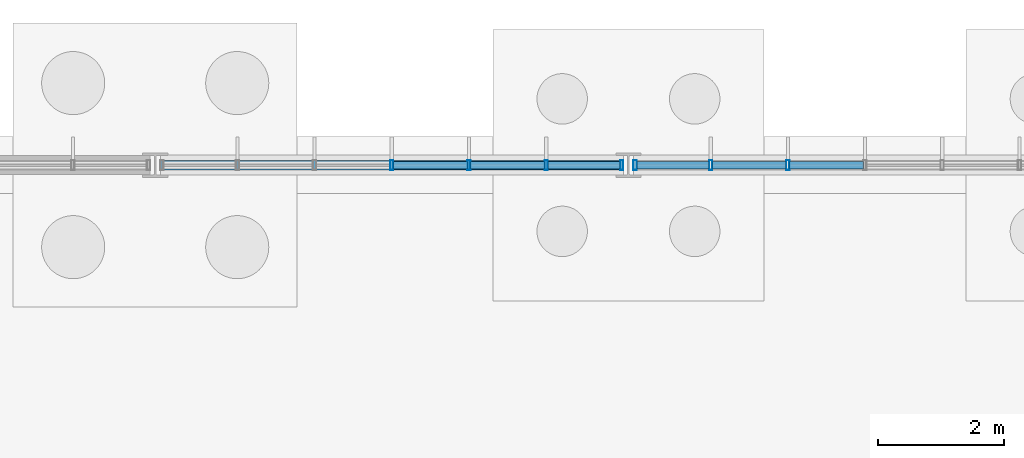
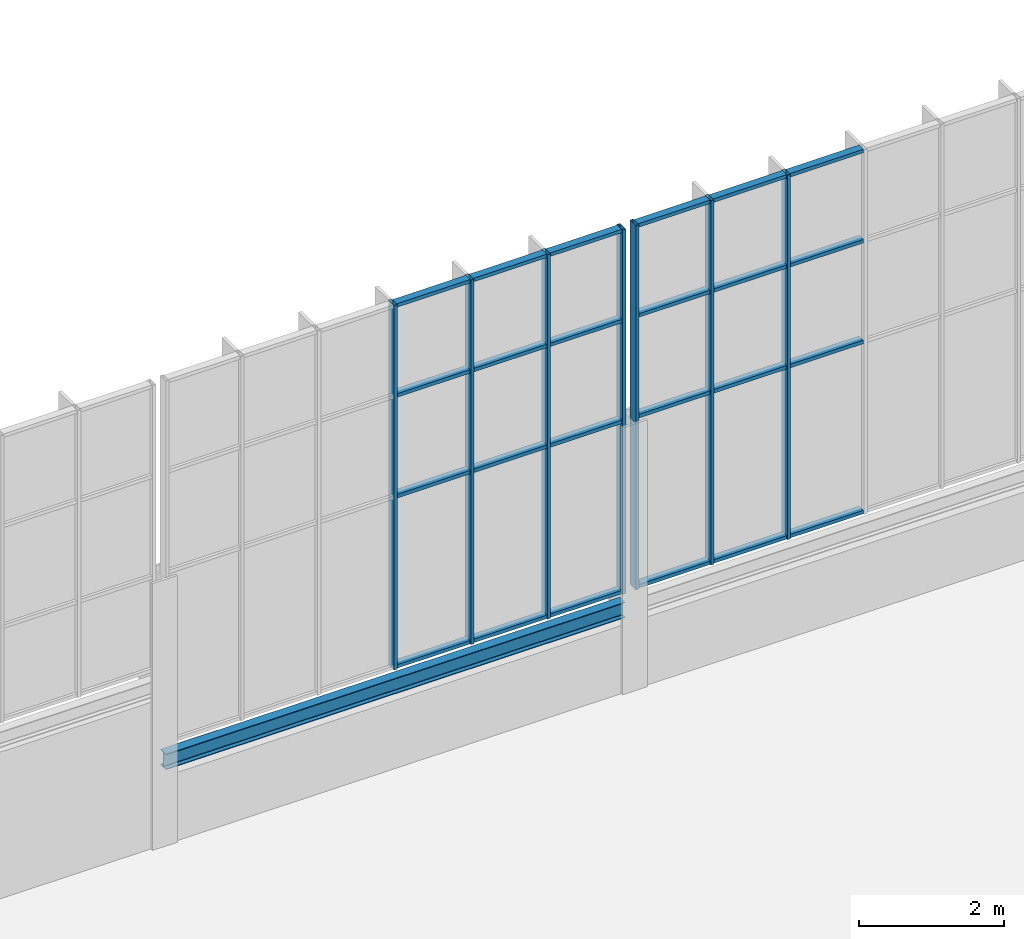
# One storey, part 58 of 136: 31 members, 1 beam, 2 elements without a shape of their own.
"""IFC4 building model written with IfcOpenShell, lengths in metres."""

from ifc_helpers import new_model, si_unit, direction, frame, origin, origin_2d, place, context, subcontext, project, spatial, hollow_rectangle, i_section, extrude, material, layer, layer_set, material_profile, profile_set, type_object, element, aggregate, save


model = new_model("IFC4")

# Units and contexts
model_context = context("Model", 3, precision=1e-05, world=origin(), true_north=direction((0.0, 1.0)))
body_context = subcontext(model_context, "Body", "Model", "MODEL_VIEW")
ifc_project = project(units=[si_unit("LENGTHUNIT", "METRE"), si_unit("AREAUNIT", "SQUARE_METRE"), si_unit("VOLUMEUNIT", "CUBIC_METRE"), si_unit("PLANEANGLEUNIT", "RADIAN"), si_unit("MASSUNIT", "GRAM", prefix="KILO")], contexts=[model_context])

# Site, building, storey
site_placement = place(None, origin())
site = spatial("IfcSite", under=ifc_project, at=site_placement, CompositionType="ELEMENT")
building_placement = place(site_placement, origin())
building = spatial("IfcBuilding", under=site, at=building_placement, Name="Solvenia Promenade Tram Depot", CompositionType="ELEMENT")
storey_placement = place(building_placement, origin())
storey = spatial("IfcBuildingStorey", under=building, at=storey_placement, Name="L00", CompositionType="ELEMENT", Elevation=0.0)

# Curtain wall, members
ifc_material_1 = material(Name="Anodized aluminium AW-6063 T6", Category="aluminium")
ifc_layer = layer(ifc_material_1, 0.159912109375, Name="Anodized aluminium AW-6063 T6", Category="aluminium")
ifc_layer_set = layer_set([ifc_layer], Name="Anodized aluminium AW-6063 T6")
curtain_wall_type = type_object("IfcCurtainWallType", Name="CW-Channel-1200", PredefinedType="NOTDEFINED", material=ifc_layer_set)
curtain_wall_1_placement = place(storey_placement, origin())
curtain_wall_1 = element("IfcCurtainWall", 1, at=curtain_wall_1_placement, inside=storey, type_object=curtain_wall_type, Name="North Translucent Channel-Glass Wall 06", PredefinedType="NOTDEFINED")
ifc_material_profile_1 = material_profile(ifc_material_1, hollow_rectangle(XDim=0.159912109375, YDim=0.052001953125, WallThickness=0.00390625, at=origin_2d()), Name="ALU-M1", Category="aluminium")
ifc_profile_set_1 = profile_set([ifc_material_profile_1], Name="Anodized aluminium AW-6063 T6")
member_type_1 = type_object("IfcMemberType", Name="CWM-Mullion-1", PredefinedType="MULLION", material=ifc_profile_set_1)
member_1_placement = place(storey_placement, frame((41.25, 126.0, 1.60009765625), z_axis=(0.0, 0.0, 1.0), x_axis=(0.0, 1.0, 0.0)))
member_1 = element("IfcMember", 2, at=member_1_placement, type_object=member_type_1, Name="CW-1 mullion 4", PredefinedType="MULLION", context=body_context, shape_type="SweptSolid", body=[
    extrude(hollow_rectangle(XDim=0.159912109375, YDim=0.052001953125, WallThickness=0.00390625, at=origin_2d()), origin(), (0.0, 0.0, 1.0), 6.14990234375),
])
member_2_placement = place(storey_placement, frame((42.473388671875, 126.0, 1.60009765625), z_axis=(0.0, 0.0, 1.0), x_axis=(0.0, 1.0, 0.0)))
member_2 = element("IfcMember", 3, at=member_2_placement, type_object=member_type_1, Name="CW-1 mullion 5", PredefinedType="MULLION", context=body_context, shape_type="SweptSolid", body=[
    extrude(hollow_rectangle(XDim=0.159912109375, YDim=0.052001953125, WallThickness=0.00390625, at=origin_2d()), origin(), (0.0, 0.0, 1.0), 6.14990234375),
])
member_3_placement = place(storey_placement, frame((43.69677734375, 126.0, 1.60009765625), z_axis=(0.0, 0.0, 1.0), x_axis=(0.0, 1.0, 0.0)))
member_3 = element("IfcMember", 4, at=member_3_placement, type_object=member_type_1, Name="CW-1 mullion 6", PredefinedType="MULLION", context=body_context, shape_type="SweptSolid", body=[
    extrude(hollow_rectangle(XDim=0.159912109375, YDim=0.052001953125, WallThickness=0.00390625, at=origin_2d()), origin(), (0.0, 0.0, 1.0), 6.14990234375),
])
member_4_placement = place(storey_placement, frame((44.89404296875, 126.0, 1.60009765625), z_axis=(0.0, 0.0, 1.0), x_axis=(0.0, 1.0, 0.0)))
member_4 = element("IfcMember", 5, at=member_4_placement, type_object=member_type_1, Name="CW-1 mullion 7", PredefinedType="MULLION", context=body_context, shape_type="SweptSolid", body=[
    extrude(hollow_rectangle(XDim=0.159912109375, YDim=0.052001953125, WallThickness=0.00390625, at=origin_2d()), origin(), (0.0, 0.0, 1.0), 6.14990234375),
])

curtain_wall_2_placement = place(storey_placement, origin())
curtain_wall_2 = element("IfcCurtainWall", 6, at=curtain_wall_2_placement, inside=storey, type_object=curtain_wall_type, Name="North Translucent Channel-Glass Wall 07", PredefinedType="NOTDEFINED")
member_5_placement = place(storey_placement, frame((45.10595703125, 126.0, 1.60009765625), z_axis=(0.0, 0.0, 1.0), x_axis=(0.0, 1.0, 0.0)))
member_5 = element("IfcMember", 7, at=member_5_placement, type_object=member_type_1, Name="CW-1 mullion 1", PredefinedType="MULLION", context=body_context, shape_type="SweptSolid", body=[
    extrude(hollow_rectangle(XDim=0.159912109375, YDim=0.052001953125, WallThickness=0.00390625, at=origin_2d()), origin(), (0.0, 0.0, 1.0), 6.14990234375),
])
member_6_placement = place(storey_placement, frame((46.30322265625, 126.0, 1.60009765625), z_axis=(0.0, 0.0, 1.0), x_axis=(0.0, 1.0, 0.0)))
member_6 = element("IfcMember", 8, at=member_6_placement, type_object=member_type_1, Name="CW-1 mullion 2", PredefinedType="MULLION", context=body_context, shape_type="SweptSolid", body=[
    extrude(hollow_rectangle(XDim=0.159912109375, YDim=0.052001953125, WallThickness=0.00390625, at=origin_2d()), origin(), (0.0, 0.0, 1.0), 6.14990234375),
])
member_7_placement = place(storey_placement, frame((47.526611328125, 126.0, 1.60009765625), z_axis=(0.0, 0.0, 1.0), x_axis=(0.0, 1.0, 0.0)))
member_7 = element("IfcMember", 9, at=member_7_placement, type_object=member_type_1, Name="CW-1 mullion 3", PredefinedType="MULLION", context=body_context, shape_type="SweptSolid", body=[
    extrude(hollow_rectangle(XDim=0.159912109375, YDim=0.052001953125, WallThickness=0.00390625, at=origin_2d()), origin(), (0.0, 0.0, 1.0), 6.14990234375),
])

# Member
ifc_material_profile_2 = material_profile(ifc_material_1, hollow_rectangle(XDim=0.1201171875, YDim=0.06005859375, WallThickness=0.00390625, at=origin_2d()), Name="ALU-T1", Category="aluminium")
ifc_profile_set_2 = profile_set([ifc_material_profile_2], Name="Anodized aluminium AW-6063 T6")
member_type_2 = type_object("IfcMemberType", Name="CWT-Transom-1", PredefinedType="USERDEFINED", material=ifc_profile_set_2)
member_8_placement = place(storey_placement, frame((41.27587890625, 126.0, 1.6298828125), z_axis=(1.0, 0.0, 0.0), x_axis=(0.0, 1.0, 0.0)))
member_8 = element("IfcMember", 10, at=member_8_placement, type_object=member_type_2, Name="CW-1 transom 4.1", ObjectType="TRANSOM", PredefinedType="USERDEFINED", context=body_context, shape_type="SweptSolid", body=[
    extrude(hollow_rectangle(XDim=0.1201171875, YDim=0.06005859375, WallThickness=0.00390625, at=origin_2d()), origin(), (0.0, 0.0, 1.0), 1.17138671875),
])

member_9_placement = place(storey_placement, frame((41.27587890625, 126.0, 4.5), z_axis=(1.0, 0.0, 0.0), x_axis=(0.0, 1.0, 0.0)))
member_9 = element("IfcMember", 11, at=member_9_placement, type_object=member_type_2, Name="CW-1 transom 4.2", ObjectType="TRANSOM", PredefinedType="USERDEFINED", context=body_context, shape_type="SweptSolid", body=[
    extrude(hollow_rectangle(XDim=0.1201171875, YDim=0.06005859375, WallThickness=0.00390625, at=origin_2d()), origin(), (0.0, 0.0, 1.0), 1.17138671875),
])

member_10_placement = place(storey_placement, frame((41.27587890625, 126.0, 6.199951171875), z_axis=(1.0, 0.0, 0.0), x_axis=(0.0, 1.0, 0.0)))
member_10 = element("IfcMember", 12, at=member_10_placement, type_object=member_type_2, Name="CW-1 transom 4.3", ObjectType="TRANSOM", PredefinedType="USERDEFINED", context=body_context, shape_type="SweptSolid", body=[
    extrude(hollow_rectangle(XDim=0.1201171875, YDim=0.06005859375, WallThickness=0.00390625, at=origin_2d()), origin(), (0.0, 0.0, 1.0), 1.17138671875),
])

member_11_placement = place(storey_placement, frame((41.27587890625, 126.0, 7.719970703125), z_axis=(1.0, 0.0, 0.0), x_axis=(0.0, 1.0, 0.0)))
member_11 = element("IfcMember", 13, at=member_11_placement, type_object=member_type_2, Name="CW-1 transom 4.4", ObjectType="TRANSOM", PredefinedType="USERDEFINED", context=body_context, shape_type="SweptSolid", body=[
    extrude(hollow_rectangle(XDim=0.1201171875, YDim=0.06005859375, WallThickness=0.00390625, at=origin_2d()), origin(), (0.0, 0.0, 1.0), 1.17138671875),
])

member_12_placement = place(storey_placement, frame((42.499267578125, 126.0, 1.6298828125), z_axis=(1.0, 0.0, 0.0), x_axis=(0.0, 1.0, 0.0)))
member_12 = element("IfcMember", 14, at=member_12_placement, type_object=member_type_2, Name="CW-1 transom 5.1", ObjectType="TRANSOM", PredefinedType="USERDEFINED", context=body_context, shape_type="SweptSolid", body=[
    extrude(hollow_rectangle(XDim=0.1201171875, YDim=0.06005859375, WallThickness=0.00390625, at=origin_2d()), origin(), (0.0, 0.0, 1.0), 1.17138671875),
])

member_13_placement = place(storey_placement, frame((42.499267578125, 126.0, 4.5), z_axis=(1.0, 0.0, 0.0), x_axis=(0.0, 1.0, 0.0)))
member_13 = element("IfcMember", 15, at=member_13_placement, type_object=member_type_2, Name="CW-1 transom 5.2", ObjectType="TRANSOM", PredefinedType="USERDEFINED", context=body_context, shape_type="SweptSolid", body=[
    extrude(hollow_rectangle(XDim=0.1201171875, YDim=0.06005859375, WallThickness=0.00390625, at=origin_2d()), origin(), (0.0, 0.0, 1.0), 1.17138671875),
])

member_14_placement = place(storey_placement, frame((42.499267578125, 126.0, 6.199951171875), z_axis=(1.0, 0.0, 0.0), x_axis=(0.0, 1.0, 0.0)))
member_14 = element("IfcMember", 16, at=member_14_placement, type_object=member_type_2, Name="CW-1 transom 5.3", ObjectType="TRANSOM", PredefinedType="USERDEFINED", context=body_context, shape_type="SweptSolid", body=[
    extrude(hollow_rectangle(XDim=0.1201171875, YDim=0.06005859375, WallThickness=0.00390625, at=origin_2d()), origin(), (0.0, 0.0, 1.0), 1.17138671875),
])

member_15_placement = place(storey_placement, frame((42.499267578125, 126.0, 7.719970703125), z_axis=(1.0, 0.0, 0.0), x_axis=(0.0, 1.0, 0.0)))
member_15 = element("IfcMember", 17, at=member_15_placement, type_object=member_type_2, Name="CW-1 transom 5.4", ObjectType="TRANSOM", PredefinedType="USERDEFINED", context=body_context, shape_type="SweptSolid", body=[
    extrude(hollow_rectangle(XDim=0.1201171875, YDim=0.06005859375, WallThickness=0.00390625, at=origin_2d()), origin(), (0.0, 0.0, 1.0), 1.17138671875),
])

member_16_placement = place(storey_placement, frame((43.72265625, 126.0, 1.6298828125), z_axis=(1.0, 0.0, 0.0), x_axis=(0.0, 1.0, 0.0)))
member_16 = element("IfcMember", 18, at=member_16_placement, type_object=member_type_2, Name="CW-1 transom 6.1", ObjectType="TRANSOM", PredefinedType="USERDEFINED", context=body_context, shape_type="SweptSolid", body=[
    extrude(hollow_rectangle(XDim=0.1201171875, YDim=0.06005859375, WallThickness=0.00390625, at=origin_2d()), origin(), (0.0, 0.0, 1.0), 1.145263671875),
])

member_17_placement = place(storey_placement, frame((43.72265625, 126.0, 4.5), z_axis=(1.0, 0.0, 0.0), x_axis=(0.0, 1.0, 0.0)))
member_17 = element("IfcMember", 19, at=member_17_placement, type_object=member_type_2, Name="CW-1 transom 6.2", ObjectType="TRANSOM", PredefinedType="USERDEFINED", context=body_context, shape_type="SweptSolid", body=[
    extrude(hollow_rectangle(XDim=0.1201171875, YDim=0.06005859375, WallThickness=0.00390625, at=origin_2d()), origin(), (0.0, 0.0, 1.0), 1.145263671875),
])

member_18_placement = place(storey_placement, frame((43.72265625, 126.0, 6.199951171875), z_axis=(1.0, 0.0, 0.0), x_axis=(0.0, 1.0, 0.0)))
member_18 = element("IfcMember", 20, at=member_18_placement, type_object=member_type_2, Name="CW-1 transom 6.3", ObjectType="TRANSOM", PredefinedType="USERDEFINED", context=body_context, shape_type="SweptSolid", body=[
    extrude(hollow_rectangle(XDim=0.1201171875, YDim=0.06005859375, WallThickness=0.00390625, at=origin_2d()), origin(), (0.0, 0.0, 1.0), 1.145263671875),
])

member_19_placement = place(storey_placement, frame((43.72265625, 126.0, 7.719970703125), z_axis=(1.0, 0.0, 0.0), x_axis=(0.0, 1.0, 0.0)))
member_19 = element("IfcMember", 21, at=member_19_placement, type_object=member_type_2, Name="CW-1 transom 6.4", ObjectType="TRANSOM", PredefinedType="USERDEFINED", context=body_context, shape_type="SweptSolid", body=[
    extrude(hollow_rectangle(XDim=0.1201171875, YDim=0.06005859375, WallThickness=0.00390625, at=origin_2d()), origin(), (0.0, 0.0, 1.0), 1.145263671875),
])

aggregate(curtain_wall_1, [member_1, member_2, member_3, member_4, member_8, member_9, member_10, member_11, member_12, member_13, member_14, member_15, member_16, member_17, member_18, member_19])

member_20_placement = place(storey_placement, frame((45.132080078125, 126.0, 1.6298828125), z_axis=(1.0, 0.0, 0.0), x_axis=(0.0, 1.0, 0.0)))
member_20 = element("IfcMember", 22, at=member_20_placement, type_object=member_type_2, Name="CW-1 transom 1.1", ObjectType="TRANSOM", PredefinedType="USERDEFINED", context=body_context, shape_type="SweptSolid", body=[
    extrude(hollow_rectangle(XDim=0.1201171875, YDim=0.06005859375, WallThickness=0.00390625, at=origin_2d()), origin(), (0.0, 0.0, 1.0), 1.145263671875),
])

member_21_placement = place(storey_placement, frame((45.132080078125, 126.0, 4.5), z_axis=(1.0, 0.0, 0.0), x_axis=(0.0, 1.0, 0.0)))
member_21 = element("IfcMember", 23, at=member_21_placement, type_object=member_type_2, Name="CW-1 transom 1.2", ObjectType="TRANSOM", PredefinedType="USERDEFINED", context=body_context, shape_type="SweptSolid", body=[
    extrude(hollow_rectangle(XDim=0.1201171875, YDim=0.06005859375, WallThickness=0.00390625, at=origin_2d()), origin(), (0.0, 0.0, 1.0), 1.145263671875),
])

member_22_placement = place(storey_placement, frame((45.132080078125, 126.0, 6.199951171875), z_axis=(1.0, 0.0, 0.0), x_axis=(0.0, 1.0, 0.0)))
member_22 = element("IfcMember", 24, at=member_22_placement, type_object=member_type_2, Name="CW-1 transom 1.3", ObjectType="TRANSOM", PredefinedType="USERDEFINED", context=body_context, shape_type="SweptSolid", body=[
    extrude(hollow_rectangle(XDim=0.1201171875, YDim=0.06005859375, WallThickness=0.00390625, at=origin_2d()), origin(), (0.0, 0.0, 1.0), 1.145263671875),
])

member_23_placement = place(storey_placement, frame((45.132080078125, 126.0, 7.719970703125), z_axis=(1.0, 0.0, 0.0), x_axis=(0.0, 1.0, 0.0)))
member_23 = element("IfcMember", 25, at=member_23_placement, type_object=member_type_2, Name="CW-1 transom 1.4", ObjectType="TRANSOM", PredefinedType="USERDEFINED", context=body_context, shape_type="SweptSolid", body=[
    extrude(hollow_rectangle(XDim=0.1201171875, YDim=0.06005859375, WallThickness=0.00390625, at=origin_2d()), origin(), (0.0, 0.0, 1.0), 1.145263671875),
])

member_24_placement = place(storey_placement, frame((46.329345703125, 126.0, 1.6298828125), z_axis=(1.0, 0.0, 0.0), x_axis=(0.0, 1.0, 0.0)))
member_24 = element("IfcMember", 26, at=member_24_placement, type_object=member_type_2, Name="CW-1 transom 2.1", ObjectType="TRANSOM", PredefinedType="USERDEFINED", context=body_context, shape_type="SweptSolid", body=[
    extrude(hollow_rectangle(XDim=0.1201171875, YDim=0.06005859375, WallThickness=0.00390625, at=origin_2d()), origin(), (0.0, 0.0, 1.0), 1.17138671875),
])

member_25_placement = place(storey_placement, frame((46.329345703125, 126.0, 4.5), z_axis=(1.0, 0.0, 0.0), x_axis=(0.0, 1.0, 0.0)))
member_25 = element("IfcMember", 27, at=member_25_placement, type_object=member_type_2, Name="CW-1 transom 2.2", ObjectType="TRANSOM", PredefinedType="USERDEFINED", context=body_context, shape_type="SweptSolid", body=[
    extrude(hollow_rectangle(XDim=0.1201171875, YDim=0.06005859375, WallThickness=0.00390625, at=origin_2d()), origin(), (0.0, 0.0, 1.0), 1.17138671875),
])

member_26_placement = place(storey_placement, frame((46.329345703125, 126.0, 6.199951171875), z_axis=(1.0, 0.0, 0.0), x_axis=(0.0, 1.0, 0.0)))
member_26 = element("IfcMember", 28, at=member_26_placement, type_object=member_type_2, Name="CW-1 transom 2.3", ObjectType="TRANSOM", PredefinedType="USERDEFINED", context=body_context, shape_type="SweptSolid", body=[
    extrude(hollow_rectangle(XDim=0.1201171875, YDim=0.06005859375, WallThickness=0.00390625, at=origin_2d()), origin(), (0.0, 0.0, 1.0), 1.17138671875),
])

member_27_placement = place(storey_placement, frame((46.329345703125, 126.0, 7.719970703125), z_axis=(1.0, 0.0, 0.0), x_axis=(0.0, 1.0, 0.0)))
member_27 = element("IfcMember", 29, at=member_27_placement, type_object=member_type_2, Name="CW-1 transom 2.4", ObjectType="TRANSOM", PredefinedType="USERDEFINED", context=body_context, shape_type="SweptSolid", body=[
    extrude(hollow_rectangle(XDim=0.1201171875, YDim=0.06005859375, WallThickness=0.00390625, at=origin_2d()), origin(), (0.0, 0.0, 1.0), 1.17138671875),
])

member_28_placement = place(storey_placement, frame((47.552734375, 126.0, 1.6298828125), z_axis=(1.0, 0.0, 0.0), x_axis=(0.0, 1.0, 0.0)))
member_28 = element("IfcMember", 30, at=member_28_placement, type_object=member_type_2, Name="CW-1 transom 3.1", ObjectType="TRANSOM", PredefinedType="USERDEFINED", context=body_context, shape_type="SweptSolid", body=[
    extrude(hollow_rectangle(XDim=0.1201171875, YDim=0.06005859375, WallThickness=0.00390625, at=origin_2d()), origin(), (0.0, 0.0, 1.0), 1.17138671875),
])

member_29_placement = place(storey_placement, frame((47.552734375, 126.0, 4.5), z_axis=(1.0, 0.0, 0.0), x_axis=(0.0, 1.0, 0.0)))
member_29 = element("IfcMember", 31, at=member_29_placement, type_object=member_type_2, Name="CW-1 transom 3.2", ObjectType="TRANSOM", PredefinedType="USERDEFINED", context=body_context, shape_type="SweptSolid", body=[
    extrude(hollow_rectangle(XDim=0.1201171875, YDim=0.06005859375, WallThickness=0.00390625, at=origin_2d()), origin(), (0.0, 0.0, 1.0), 1.17138671875),
])

member_30_placement = place(storey_placement, frame((47.552734375, 126.0, 6.199951171875), z_axis=(1.0, 0.0, 0.0), x_axis=(0.0, 1.0, 0.0)))
member_30 = element("IfcMember", 32, at=member_30_placement, type_object=member_type_2, Name="CW-1 transom 3.3", ObjectType="TRANSOM", PredefinedType="USERDEFINED", context=body_context, shape_type="SweptSolid", body=[
    extrude(hollow_rectangle(XDim=0.1201171875, YDim=0.06005859375, WallThickness=0.00390625, at=origin_2d()), origin(), (0.0, 0.0, 1.0), 1.17138671875),
])

member_31_placement = place(storey_placement, frame((47.552734375, 126.0, 7.719970703125), z_axis=(1.0, 0.0, 0.0), x_axis=(0.0, 1.0, 0.0)))
member_31 = element("IfcMember", 33, at=member_31_placement, type_object=member_type_2, Name="CW-1 transom 3.4", ObjectType="TRANSOM", PredefinedType="USERDEFINED", context=body_context, shape_type="SweptSolid", body=[
    extrude(hollow_rectangle(XDim=0.1201171875, YDim=0.06005859375, WallThickness=0.00390625, at=origin_2d()), origin(), (0.0, 0.0, 1.0), 1.17138671875),
])

aggregate(curtain_wall_2, [member_5, member_6, member_7, member_20, member_21, member_22, member_23, member_24, member_25, member_26, member_27, member_28, member_29, member_30, member_31])

# Beam
ifc_material_2 = material(Name="Structural steel ASTM A992 Gr. 50", Category="steel")
ifc_material_profile_3 = material_profile(ifc_material_2, i_section(OverallWidth=0.14697265625, OverallDepth=0.261962890625, WebThickness=0.006591796875, FlangeThickness=0.01123046875, FilletRadius=0.010009765625, at=origin_2d()), Name="W250x39", Category="steel")
ifc_profile_set_3 = profile_set([ifc_material_profile_3], Name="Structural steel ASTM A992 Gr. 50")
beam_type = type_object("IfcBeamType", Name="Lintel-W250x39", PredefinedType="LINTEL", material=ifc_profile_set_3)
beam_placement = place(storey_placement, frame((37.5849609375, 126.0, 1.319091796875), z_axis=(1.0, 0.0, 0.0), x_axis=(0.0, 1.0, 0.0)))
element("IfcBeam", 34, at=beam_placement, inside=storey, type_object=beam_type, Name="North Plinth Header Beam 6 BM-L00-0939", PredefinedType="LINTEL", context=body_context, shape_type="SweptSolid", body=[
    extrude(i_section(OverallWidth=0.14697265625, OverallDepth=0.261962890625, WebThickness=0.006591796875, FlangeThickness=0.01123046875, FilletRadius=0.010009765625, at=origin_2d()), origin(), (0.0, 0.0, 1.0), 7.330078125),
])

save(model, "model.ifc")
